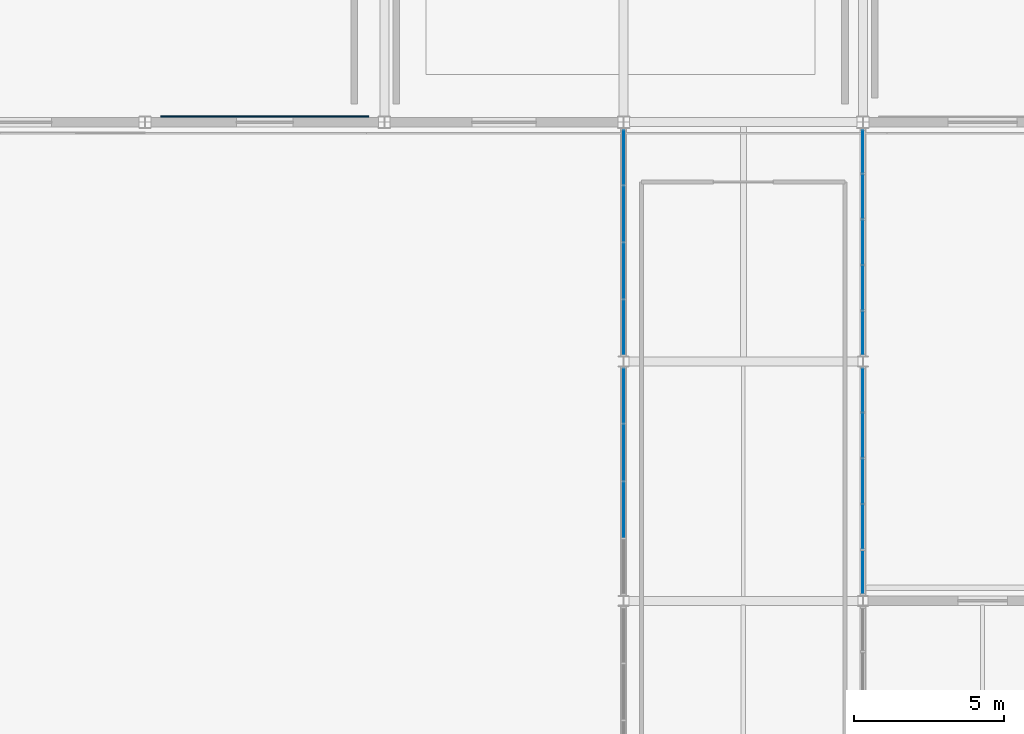
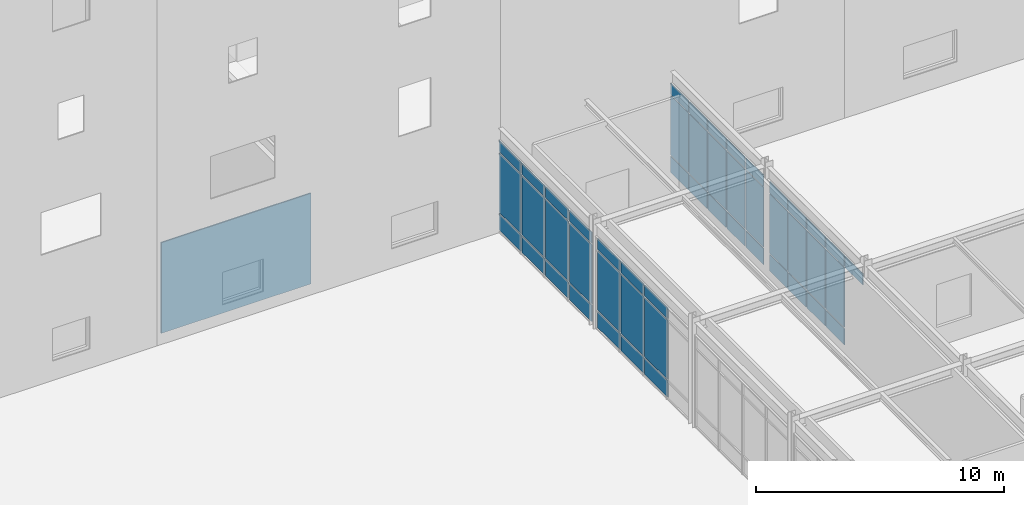
# One storey, part 62 of 119: 50 plates, 4 elements without a shape of their own.
"""IFC4 building model written with IfcOpenShell, lengths in metres."""

from ifc_helpers import new_model, si_unit, direction, frame, origin, origin_2d, place, context, subcontext, project, spatial, rectangle, extrude, material, layer, layer_set, type_object, element, aggregate, save


model = new_model("IFC4")

# Units and contexts
model_context = context("Model", 3, precision=1e-05, world=origin(), true_north=direction((0.0, 1.0)))
body_context = subcontext(model_context, "Body", "Model", "MODEL_VIEW")
ifc_project = project(units=[si_unit("LENGTHUNIT", "METRE"), si_unit("AREAUNIT", "SQUARE_METRE"), si_unit("VOLUMEUNIT", "CUBIC_METRE"), si_unit("PLANEANGLEUNIT", "RADIAN"), si_unit("MASSUNIT", "GRAM", prefix="KILO")], contexts=[model_context])

# Site, building, storey
site_placement = place(None, origin())
site = spatial("IfcSite", under=ifc_project, at=site_placement, CompositionType="ELEMENT")
building_placement = place(site_placement, origin())
building = spatial("IfcBuilding", under=site, at=building_placement, Name="Zhaolan Boulevard Law Courts", CompositionType="ELEMENT")
storey_placement = place(building_placement, origin())
storey = spatial("IfcBuildingStorey", under=building, at=storey_placement, Name="L00", CompositionType="ELEMENT", Elevation=0.0)

# Curtain wall, plates
ifc_material_1 = material(Name="Thermally broken aluminium and low-E glazing", Category="aluminium")
curtain_wall_type_1 = type_object("IfcCurtainWallType", Name="CURTAIN WALL M22", PredefinedType="USERDEFINED", material=ifc_material_1)
curtain_wall_1_placement = place(storey_placement, origin())
curtain_wall_1 = element("IfcCurtainWall", 1, at=curtain_wall_1_placement, inside=storey, type_object=curtain_wall_type_1, Name="Curtain Wall CW-L00-022", ObjectType="CURTAIN WALL", PredefinedType="USERDEFINED")
ifc_material_2 = material(Name="Acoustic laminated low-E glazing", Category="glass")
ifc_layer_1 = layer(ifc_material_2, 0.031982421875)
ifc_layer_set_1 = layer_set([ifc_layer_1])
plate_type_1 = type_object("IfcPlateType", Name="CWPANEL LOW E32", PredefinedType="CURTAIN_PANEL", material=ifc_layer_set_1)
plate_1_placement = place(storey_placement, frame((116.0, 52.85107421875, 0.06494140625), z_axis=(0.0, 0.0, 1.0), x_axis=(0.0, -1.0, 0.0)))
plate_1 = element("IfcPlate", 2, at=plate_1_placement, type_object=plate_type_1, Name="CW-L00-022 panel 1.1", PredefinedType="CURTAIN_PANEL", context=body_context, shape_type="SweptSolid", body=[
    extrude(rectangle(XDim=1.81396484375, YDim=0.031982421875, at=origin_2d()), origin(), (0.0, 0.0, 1.0), 0.802490234375),
])
plate_2_placement = place(storey_placement, frame((116.0, 52.85107421875, 0.9326171875), z_axis=(0.0, 0.0, 1.0), x_axis=(0.0, -1.0, 0.0)))
plate_2 = element("IfcPlate", 3, at=plate_2_placement, type_object=plate_type_1, Name="CW-L00-022 panel 1.2", PredefinedType="CURTAIN_PANEL", context=body_context, shape_type="SweptSolid", body=[
    extrude(rectangle(XDim=1.81396484375, YDim=0.031982421875, at=origin_2d()), origin(), (0.0, 0.0, 1.0), 2.91796875),
])
plate_3_placement = place(storey_placement, frame((116.0, 52.85107421875, 3.91552734375), z_axis=(0.0, 0.0, 1.0), x_axis=(0.0, -1.0, 0.0)))
plate_3 = element("IfcPlate", 4, at=plate_3_placement, type_object=plate_type_1, Name="CW-L00-022 panel 1.3", PredefinedType="CURTAIN_PANEL", context=body_context, shape_type="SweptSolid", body=[
    extrude(rectangle(XDim=1.81396484375, YDim=0.031982421875, at=origin_2d()), origin(), (0.0, 0.0, 1.0), 0.552490234375),
])
plate_4_placement = place(storey_placement, frame((116.0, 50.955810546875, 0.06494140625), z_axis=(0.0, 0.0, 1.0), x_axis=(0.0, -1.0, 0.0)))
plate_4 = element("IfcPlate", 5, at=plate_4_placement, type_object=plate_type_1, Name="CW-L00-022 panel 2.1", PredefinedType="CURTAIN_PANEL", context=body_context, shape_type="SweptSolid", body=[
    extrude(rectangle(XDim=1.846435546875, YDim=0.031982421875, at=origin_2d()), origin(), (0.0, 0.0, 1.0), 0.802490234375),
])
plate_5_placement = place(storey_placement, frame((116.0, 50.955810546875, 0.9326171875), z_axis=(0.0, 0.0, 1.0), x_axis=(0.0, -1.0, 0.0)))
plate_5 = element("IfcPlate", 6, at=plate_5_placement, type_object=plate_type_1, Name="CW-L00-022 panel 2.2", PredefinedType="CURTAIN_PANEL", context=body_context, shape_type="SweptSolid", body=[
    extrude(rectangle(XDim=1.846435546875, YDim=0.031982421875, at=origin_2d()), origin(), (0.0, 0.0, 1.0), 2.91796875),
])
plate_6_placement = place(storey_placement, frame((116.0, 50.955810546875, 3.91552734375), z_axis=(0.0, 0.0, 1.0), x_axis=(0.0, -1.0, 0.0)))
plate_6 = element("IfcPlate", 7, at=plate_6_placement, type_object=plate_type_1, Name="CW-L00-022 panel 2.3", PredefinedType="CURTAIN_PANEL", context=body_context, shape_type="SweptSolid", body=[
    extrude(rectangle(XDim=1.846435546875, YDim=0.031982421875, at=origin_2d()), origin(), (0.0, 0.0, 1.0), 0.552490234375),
])
plate_7_placement = place(storey_placement, frame((116.0, 49.044189453125, 0.06494140625), z_axis=(0.0, 0.0, 1.0), x_axis=(0.0, -1.0, 0.0)))
plate_7 = element("IfcPlate", 8, at=plate_7_placement, type_object=plate_type_1, Name="CW-L00-022 panel 3.1", PredefinedType="CURTAIN_PANEL", context=body_context, shape_type="SweptSolid", body=[
    extrude(rectangle(XDim=1.846435546875, YDim=0.031982421875, at=origin_2d()), origin(), (0.0, 0.0, 1.0), 0.802490234375),
])
plate_8_placement = place(storey_placement, frame((116.0, 49.044189453125, 0.9326171875), z_axis=(0.0, 0.0, 1.0), x_axis=(0.0, -1.0, 0.0)))
plate_8 = element("IfcPlate", 9, at=plate_8_placement, type_object=plate_type_1, Name="CW-L00-022 panel 3.2", PredefinedType="CURTAIN_PANEL", context=body_context, shape_type="SweptSolid", body=[
    extrude(rectangle(XDim=1.846435546875, YDim=0.031982421875, at=origin_2d()), origin(), (0.0, 0.0, 1.0), 2.91796875),
])
plate_9_placement = place(storey_placement, frame((116.0, 49.044189453125, 3.91552734375), z_axis=(0.0, 0.0, 1.0), x_axis=(0.0, -1.0, 0.0)))
plate_9 = element("IfcPlate", 10, at=plate_9_placement, type_object=plate_type_1, Name="CW-L00-022 panel 3.3", PredefinedType="CURTAIN_PANEL", context=body_context, shape_type="SweptSolid", body=[
    extrude(rectangle(XDim=1.846435546875, YDim=0.031982421875, at=origin_2d()), origin(), (0.0, 0.0, 1.0), 0.552490234375),
])
aggregate(curtain_wall_1, [plate_1, plate_2, plate_3, plate_4, plate_5, plate_6, plate_7, plate_8, plate_9])

ifc_material_3 = material(Name="Thermally broken aluminium and low-E glazing", Category="aluminium")
curtain_wall_type_2 = type_object("IfcCurtainWallType", Name="CURTAIN WALL M23", PredefinedType="USERDEFINED", material=ifc_material_3)
curtain_wall_2_placement = place(storey_placement, origin())
curtain_wall_2 = element("IfcCurtainWall", 11, at=curtain_wall_2_placement, inside=storey, type_object=curtain_wall_type_2, Name="Curtain Wall CW-L00-023", ObjectType="CURTAIN WALL", PredefinedType="USERDEFINED")
plate_10_placement = place(storey_placement, frame((116.0, 60.8291015625, 0.06494140625), z_axis=(0.0, 0.0, 1.0), x_axis=(0.0, -1.0, 0.0)))
plate_10 = element("IfcPlate", 12, at=plate_10_placement, type_object=plate_type_1, Name="CW-L00-023 panel 1.1", PredefinedType="CURTAIN_PANEL", context=body_context, shape_type="SweptSolid", body=[
    extrude(rectangle(XDim=1.807861328125, YDim=0.031982421875, at=origin_2d()), origin(), (0.0, 0.0, 1.0), 0.802490234375),
])
plate_11_placement = place(storey_placement, frame((116.0, 60.8291015625, 0.9326171875), z_axis=(0.0, 0.0, 1.0), x_axis=(0.0, -1.0, 0.0)))
plate_11 = element("IfcPlate", 13, at=plate_11_placement, type_object=plate_type_1, Name="CW-L00-023 panel 1.2", PredefinedType="CURTAIN_PANEL", context=body_context, shape_type="SweptSolid", body=[
    extrude(rectangle(XDim=1.807861328125, YDim=0.031982421875, at=origin_2d()), origin(), (0.0, 0.0, 1.0), 2.91796875),
])
plate_12_placement = place(storey_placement, frame((116.0, 60.8291015625, 3.91552734375), z_axis=(0.0, 0.0, 1.0), x_axis=(0.0, -1.0, 0.0)))
plate_12 = element("IfcPlate", 14, at=plate_12_placement, type_object=plate_type_1, Name="CW-L00-023 panel 1.3", PredefinedType="CURTAIN_PANEL", context=body_context, shape_type="SweptSolid", body=[
    extrude(rectangle(XDim=1.807861328125, YDim=0.031982421875, at=origin_2d()), origin(), (0.0, 0.0, 1.0), 0.552490234375),
])
plate_13_placement = place(storey_placement, frame((116.0, 58.940185546875, 0.06494140625), z_axis=(0.0, 0.0, 1.0), x_axis=(0.0, -1.0, 0.0)))
plate_13 = element("IfcPlate", 15, at=plate_13_placement, type_object=plate_type_1, Name="CW-L00-023 panel 2.1", PredefinedType="CURTAIN_PANEL", context=body_context, shape_type="SweptSolid", body=[
    extrude(rectangle(XDim=1.84033203125, YDim=0.031982421875, at=origin_2d()), origin(), (0.0, 0.0, 1.0), 0.802490234375),
])
plate_14_placement = place(storey_placement, frame((116.0, 58.940185546875, 0.9326171875), z_axis=(0.0, 0.0, 1.0), x_axis=(0.0, -1.0, 0.0)))
plate_14 = element("IfcPlate", 16, at=plate_14_placement, type_object=plate_type_1, Name="CW-L00-023 panel 2.2", PredefinedType="CURTAIN_PANEL", context=body_context, shape_type="SweptSolid", body=[
    extrude(rectangle(XDim=1.84033203125, YDim=0.031982421875, at=origin_2d()), origin(), (0.0, 0.0, 1.0), 2.91796875),
])
plate_15_placement = place(storey_placement, frame((116.0, 58.940185546875, 3.91552734375), z_axis=(0.0, 0.0, 1.0), x_axis=(0.0, -1.0, 0.0)))
plate_15 = element("IfcPlate", 17, at=plate_15_placement, type_object=plate_type_1, Name="CW-L00-023 panel 2.3", PredefinedType="CURTAIN_PANEL", context=body_context, shape_type="SweptSolid", body=[
    extrude(rectangle(XDim=1.84033203125, YDim=0.031982421875, at=origin_2d()), origin(), (0.0, 0.0, 1.0), 0.552490234375),
])
plate_16_placement = place(storey_placement, frame((116.0, 57.034912109375, 0.06494140625), z_axis=(0.0, 0.0, 1.0), x_axis=(0.0, -1.0, 0.0)))
plate_16 = element("IfcPlate", 18, at=plate_16_placement, type_object=plate_type_1, Name="CW-L00-023 panel 3.1", PredefinedType="CURTAIN_PANEL", context=body_context, shape_type="SweptSolid", body=[
    extrude(rectangle(XDim=1.84033203125, YDim=0.031982421875, at=origin_2d()), origin(), (0.0, 0.0, 1.0), 0.802490234375),
])
plate_17_placement = place(storey_placement, frame((116.0, 57.034912109375, 0.9326171875), z_axis=(0.0, 0.0, 1.0), x_axis=(0.0, -1.0, 0.0)))
plate_17 = element("IfcPlate", 19, at=plate_17_placement, type_object=plate_type_1, Name="CW-L00-023 panel 3.2", PredefinedType="CURTAIN_PANEL", context=body_context, shape_type="SweptSolid", body=[
    extrude(rectangle(XDim=1.84033203125, YDim=0.031982421875, at=origin_2d()), origin(), (0.0, 0.0, 1.0), 2.91796875),
])
plate_18_placement = place(storey_placement, frame((116.0, 57.034912109375, 3.91552734375), z_axis=(0.0, 0.0, 1.0), x_axis=(0.0, -1.0, 0.0)))
plate_18 = element("IfcPlate", 20, at=plate_18_placement, type_object=plate_type_1, Name="CW-L00-023 panel 3.3", PredefinedType="CURTAIN_PANEL", context=body_context, shape_type="SweptSolid", body=[
    extrude(rectangle(XDim=1.84033203125, YDim=0.031982421875, at=origin_2d()), origin(), (0.0, 0.0, 1.0), 0.552490234375),
])
plate_19_placement = place(storey_placement, frame((116.0, 55.14599609375, 0.06494140625), z_axis=(0.0, 0.0, 1.0), x_axis=(0.0, -1.0, 0.0)))
plate_19 = element("IfcPlate", 21, at=plate_19_placement, type_object=plate_type_1, Name="CW-L00-023 panel 4.1", PredefinedType="CURTAIN_PANEL", context=body_context, shape_type="SweptSolid", body=[
    extrude(rectangle(XDim=1.807861328125, YDim=0.031982421875, at=origin_2d()), origin(), (0.0, 0.0, 1.0), 0.802490234375),
])
plate_20_placement = place(storey_placement, frame((116.0, 55.14599609375, 0.9326171875), z_axis=(0.0, 0.0, 1.0), x_axis=(0.0, -1.0, 0.0)))
plate_20 = element("IfcPlate", 22, at=plate_20_placement, type_object=plate_type_1, Name="CW-L00-023 panel 4.2", PredefinedType="CURTAIN_PANEL", context=body_context, shape_type="SweptSolid", body=[
    extrude(rectangle(XDim=1.807861328125, YDim=0.031982421875, at=origin_2d()), origin(), (0.0, 0.0, 1.0), 2.91796875),
])
plate_21_placement = place(storey_placement, frame((116.0, 55.14599609375, 3.91552734375), z_axis=(0.0, 0.0, 1.0), x_axis=(0.0, -1.0, 0.0)))
plate_21 = element("IfcPlate", 23, at=plate_21_placement, type_object=plate_type_1, Name="CW-L00-023 panel 4.3", PredefinedType="CURTAIN_PANEL", context=body_context, shape_type="SweptSolid", body=[
    extrude(rectangle(XDim=1.807861328125, YDim=0.031982421875, at=origin_2d()), origin(), (0.0, 0.0, 1.0), 0.552490234375),
])
aggregate(curtain_wall_2, [plate_10, plate_11, plate_12, plate_13, plate_14, plate_15, plate_16, plate_17, plate_18, plate_19, plate_20, plate_21])

ifc_material_4 = material(Name="Thermally broken aluminium and low-E glazing", Category="aluminium")
curtain_wall_type_3 = type_object("IfcCurtainWallType", Name="CURTAIN WALL M2", PredefinedType="USERDEFINED", material=ifc_material_4)
curtain_wall_3_placement = place(storey_placement, origin())
curtain_wall_3 = element("IfcCurtainWall", 24, at=curtain_wall_3_placement, inside=storey, type_object=curtain_wall_type_3, Name="Curtain Wall CW-L00-026", ObjectType="CURTAIN WALL", PredefinedType="USERDEFINED")
plate_22_placement = place(storey_placement, frame((124.0, 46.957763671875, 3.91552734375), z_axis=(0.0, 0.0, 1.0), x_axis=(0.0, 1.0, 0.0)))
plate_22 = element("IfcPlate", 25, at=plate_22_placement, type_object=plate_type_1, Name="CW-L00-026 panel 1.3", PredefinedType="CURTAIN_PANEL", context=body_context, shape_type="SweptSolid", body=[
    extrude(rectangle(XDim=1.431640625, YDim=0.031982421875, at=origin_2d()), origin(), (0.0, 0.0, 1.0), 0.552490234375),
])
plate_23_placement = place(storey_placement, frame((124.0, 48.470703125, 0.06494140625), z_axis=(0.0, 0.0, 1.0), x_axis=(0.0, 1.0, 0.0)))
plate_23 = element("IfcPlate", 26, at=plate_23_placement, type_object=plate_type_1, Name="CW-L00-026 panel 2.1", PredefinedType="CURTAIN_PANEL", context=body_context, shape_type="SweptSolid", body=[
    extrude(rectangle(XDim=1.464111328125, YDim=0.031982421875, at=origin_2d()), origin(), (0.0, 0.0, 1.0), 0.802490234375),
])
plate_24_placement = place(storey_placement, frame((124.0, 48.470703125, 0.9326171875), z_axis=(0.0, 0.0, 1.0), x_axis=(0.0, 1.0, 0.0)))
plate_24 = element("IfcPlate", 27, at=plate_24_placement, type_object=plate_type_1, Name="CW-L00-026 panel 2.2", PredefinedType="CURTAIN_PANEL", context=body_context, shape_type="SweptSolid", body=[
    extrude(rectangle(XDim=1.464111328125, YDim=0.031982421875, at=origin_2d()), origin(), (0.0, 0.0, 1.0), 2.91796875),
])
plate_25_placement = place(storey_placement, frame((124.0, 48.470703125, 3.91552734375), z_axis=(0.0, 0.0, 1.0), x_axis=(0.0, 1.0, 0.0)))
plate_25 = element("IfcPlate", 28, at=plate_25_placement, type_object=plate_type_1, Name="CW-L00-026 panel 2.3", PredefinedType="CURTAIN_PANEL", context=body_context, shape_type="SweptSolid", body=[
    extrude(rectangle(XDim=1.464111328125, YDim=0.031982421875, at=origin_2d()), origin(), (0.0, 0.0, 1.0), 0.552490234375),
])
plate_26_placement = place(storey_placement, frame((124.0, 50.0, 0.06494140625), z_axis=(0.0, 0.0, 1.0), x_axis=(0.0, 1.0, 0.0)))
plate_26 = element("IfcPlate", 29, at=plate_26_placement, type_object=plate_type_1, Name="CW-L00-026 panel 3.1", PredefinedType="CURTAIN_PANEL", context=body_context, shape_type="SweptSolid", body=[
    extrude(rectangle(XDim=1.464111328125, YDim=0.031982421875, at=origin_2d()), origin(), (0.0, 0.0, 1.0), 0.802490234375),
])
plate_27_placement = place(storey_placement, frame((124.0, 50.0, 0.9326171875), z_axis=(0.0, 0.0, 1.0), x_axis=(0.0, 1.0, 0.0)))
plate_27 = element("IfcPlate", 30, at=plate_27_placement, type_object=plate_type_1, Name="CW-L00-026 panel 3.2", PredefinedType="CURTAIN_PANEL", context=body_context, shape_type="SweptSolid", body=[
    extrude(rectangle(XDim=1.464111328125, YDim=0.031982421875, at=origin_2d()), origin(), (0.0, 0.0, 1.0), 2.91796875),
])
plate_28_placement = place(storey_placement, frame((124.0, 50.0, 3.91552734375), z_axis=(0.0, 0.0, 1.0), x_axis=(0.0, 1.0, 0.0)))
plate_28 = element("IfcPlate", 31, at=plate_28_placement, type_object=plate_type_1, Name="CW-L00-026 panel 3.3", PredefinedType="CURTAIN_PANEL", context=body_context, shape_type="SweptSolid", body=[
    extrude(rectangle(XDim=1.464111328125, YDim=0.031982421875, at=origin_2d()), origin(), (0.0, 0.0, 1.0), 0.552490234375),
])
plate_29_placement = place(storey_placement, frame((124.0, 51.529296875, 0.06494140625), z_axis=(0.0, 0.0, 1.0), x_axis=(0.0, 1.0, 0.0)))
plate_29 = element("IfcPlate", 32, at=plate_29_placement, type_object=plate_type_1, Name="CW-L00-026 panel 4.1", PredefinedType="CURTAIN_PANEL", context=body_context, shape_type="SweptSolid", body=[
    extrude(rectangle(XDim=1.464111328125, YDim=0.031982421875, at=origin_2d()), origin(), (0.0, 0.0, 1.0), 0.802490234375),
])
plate_30_placement = place(storey_placement, frame((124.0, 51.529296875, 0.9326171875), z_axis=(0.0, 0.0, 1.0), x_axis=(0.0, 1.0, 0.0)))
plate_30 = element("IfcPlate", 33, at=plate_30_placement, type_object=plate_type_1, Name="CW-L00-026 panel 4.2", PredefinedType="CURTAIN_PANEL", context=body_context, shape_type="SweptSolid", body=[
    extrude(rectangle(XDim=1.464111328125, YDim=0.031982421875, at=origin_2d()), origin(), (0.0, 0.0, 1.0), 2.91796875),
])
plate_31_placement = place(storey_placement, frame((124.0, 51.529296875, 3.91552734375), z_axis=(0.0, 0.0, 1.0), x_axis=(0.0, 1.0, 0.0)))
plate_31 = element("IfcPlate", 34, at=plate_31_placement, type_object=plate_type_1, Name="CW-L00-026 panel 4.3", PredefinedType="CURTAIN_PANEL", context=body_context, shape_type="SweptSolid", body=[
    extrude(rectangle(XDim=1.464111328125, YDim=0.031982421875, at=origin_2d()), origin(), (0.0, 0.0, 1.0), 0.552490234375),
])
plate_32_placement = place(storey_placement, frame((124.0, 53.042236328125, 0.06494140625), z_axis=(0.0, 0.0, 1.0), x_axis=(0.0, 1.0, 0.0)))
plate_32 = element("IfcPlate", 35, at=plate_32_placement, type_object=plate_type_1, Name="CW-L00-026 panel 5.1", PredefinedType="CURTAIN_PANEL", context=body_context, shape_type="SweptSolid", body=[
    extrude(rectangle(XDim=1.431640625, YDim=0.031982421875, at=origin_2d()), origin(), (0.0, 0.0, 1.0), 0.802490234375),
])
plate_33_placement = place(storey_placement, frame((124.0, 53.042236328125, 0.9326171875), z_axis=(0.0, 0.0, 1.0), x_axis=(0.0, 1.0, 0.0)))
plate_33 = element("IfcPlate", 36, at=plate_33_placement, type_object=plate_type_1, Name="CW-L00-026 panel 5.2", PredefinedType="CURTAIN_PANEL", context=body_context, shape_type="SweptSolid", body=[
    extrude(rectangle(XDim=1.431640625, YDim=0.031982421875, at=origin_2d()), origin(), (0.0, 0.0, 1.0), 2.91796875),
])
plate_34_placement = place(storey_placement, frame((124.0, 53.042236328125, 3.91552734375), z_axis=(0.0, 0.0, 1.0), x_axis=(0.0, 1.0, 0.0)))
plate_34 = element("IfcPlate", 37, at=plate_34_placement, type_object=plate_type_1, Name="CW-L00-026 panel 5.3", PredefinedType="CURTAIN_PANEL", context=body_context, shape_type="SweptSolid", body=[
    extrude(rectangle(XDim=1.431640625, YDim=0.031982421875, at=origin_2d()), origin(), (0.0, 0.0, 1.0), 0.552490234375),
])
aggregate(curtain_wall_3, [plate_22, plate_23, plate_24, plate_25, plate_26, plate_27, plate_28, plate_29, plate_30, plate_31, plate_32, plate_33, plate_34])

ifc_material_5 = material(Name="Thermally broken aluminium and low-E glazing", Category="aluminium")
curtain_wall_type_4 = type_object("IfcCurtainWallType", Name="CURTAIN WALL M3", PredefinedType="USERDEFINED", material=ifc_material_5)
curtain_wall_4_placement = place(storey_placement, origin())
curtain_wall_4 = element("IfcCurtainWall", 38, at=curtain_wall_4_placement, inside=storey, type_object=curtain_wall_type_4, Name="Curtain Wall CW-L00-027", ObjectType="CURTAIN WALL", PredefinedType="USERDEFINED")
plate_35_placement = place(storey_placement, frame((124.0, 54.955322265625, 0.06494140625), z_axis=(0.0, 0.0, 1.0), x_axis=(0.0, 1.0, 0.0)))
plate_35 = element("IfcPlate", 39, at=plate_35_placement, type_object=plate_type_1, Name="CW-L00-027 panel 1.1", PredefinedType="CURTAIN_PANEL", context=body_context, shape_type="SweptSolid", body=[
    extrude(rectangle(XDim=1.4267578125, YDim=0.031982421875, at=origin_2d()), origin(), (0.0, 0.0, 1.0), 0.802490234375),
])
plate_36_placement = place(storey_placement, frame((124.0, 54.955322265625, 0.9326171875), z_axis=(0.0, 0.0, 1.0), x_axis=(0.0, 1.0, 0.0)))
plate_36 = element("IfcPlate", 40, at=plate_36_placement, type_object=plate_type_1, Name="CW-L00-027 panel 1.2", PredefinedType="CURTAIN_PANEL", context=body_context, shape_type="SweptSolid", body=[
    extrude(rectangle(XDim=1.4267578125, YDim=0.031982421875, at=origin_2d()), origin(), (0.0, 0.0, 1.0), 2.91796875),
])
plate_37_placement = place(storey_placement, frame((124.0, 54.955322265625, 3.91552734375), z_axis=(0.0, 0.0, 1.0), x_axis=(0.0, 1.0, 0.0)))
plate_37 = element("IfcPlate", 41, at=plate_37_placement, type_object=plate_type_1, Name="CW-L00-027 panel 1.3", PredefinedType="CURTAIN_PANEL", context=body_context, shape_type="SweptSolid", body=[
    extrude(rectangle(XDim=1.4267578125, YDim=0.031982421875, at=origin_2d()), origin(), (0.0, 0.0, 1.0), 0.552490234375),
])
plate_38_placement = place(storey_placement, frame((124.0, 56.46337890625, 0.06494140625), z_axis=(0.0, 0.0, 1.0), x_axis=(0.0, 1.0, 0.0)))
plate_38 = element("IfcPlate", 42, at=plate_38_placement, type_object=plate_type_1, Name="CW-L00-027 panel 2.1", PredefinedType="CURTAIN_PANEL", context=body_context, shape_type="SweptSolid", body=[
    extrude(rectangle(XDim=1.459228515625, YDim=0.031982421875, at=origin_2d()), origin(), (0.0, 0.0, 1.0), 0.802490234375),
])
plate_39_placement = place(storey_placement, frame((124.0, 56.46337890625, 0.9326171875), z_axis=(0.0, 0.0, 1.0), x_axis=(0.0, 1.0, 0.0)))
plate_39 = element("IfcPlate", 43, at=plate_39_placement, type_object=plate_type_1, Name="CW-L00-027 panel 2.2", PredefinedType="CURTAIN_PANEL", context=body_context, shape_type="SweptSolid", body=[
    extrude(rectangle(XDim=1.459228515625, YDim=0.031982421875, at=origin_2d()), origin(), (0.0, 0.0, 1.0), 2.91796875),
])
plate_40_placement = place(storey_placement, frame((124.0, 56.46337890625, 3.91552734375), z_axis=(0.0, 0.0, 1.0), x_axis=(0.0, 1.0, 0.0)))
plate_40 = element("IfcPlate", 44, at=plate_40_placement, type_object=plate_type_1, Name="CW-L00-027 panel 2.3", PredefinedType="CURTAIN_PANEL", context=body_context, shape_type="SweptSolid", body=[
    extrude(rectangle(XDim=1.459228515625, YDim=0.031982421875, at=origin_2d()), origin(), (0.0, 0.0, 1.0), 0.552490234375),
])
plate_41_placement = place(storey_placement, frame((124.0, 57.987548828125, 0.06494140625), z_axis=(0.0, 0.0, 1.0), x_axis=(0.0, 1.0, 0.0)))
plate_41 = element("IfcPlate", 45, at=plate_41_placement, type_object=plate_type_1, Name="CW-L00-027 panel 3.1", PredefinedType="CURTAIN_PANEL", context=body_context, shape_type="SweptSolid", body=[
    extrude(rectangle(XDim=1.459228515625, YDim=0.031982421875, at=origin_2d()), origin(), (0.0, 0.0, 1.0), 0.802490234375),
])
plate_42_placement = place(storey_placement, frame((124.0, 57.987548828125, 0.9326171875), z_axis=(0.0, 0.0, 1.0), x_axis=(0.0, 1.0, 0.0)))
plate_42 = element("IfcPlate", 46, at=plate_42_placement, type_object=plate_type_1, Name="CW-L00-027 panel 3.2", PredefinedType="CURTAIN_PANEL", context=body_context, shape_type="SweptSolid", body=[
    extrude(rectangle(XDim=1.459228515625, YDim=0.031982421875, at=origin_2d()), origin(), (0.0, 0.0, 1.0), 2.91796875),
])
plate_43_placement = place(storey_placement, frame((124.0, 57.987548828125, 3.91552734375), z_axis=(0.0, 0.0, 1.0), x_axis=(0.0, 1.0, 0.0)))
plate_43 = element("IfcPlate", 47, at=plate_43_placement, type_object=plate_type_1, Name="CW-L00-027 panel 3.3", PredefinedType="CURTAIN_PANEL", context=body_context, shape_type="SweptSolid", body=[
    extrude(rectangle(XDim=1.459228515625, YDim=0.031982421875, at=origin_2d()), origin(), (0.0, 0.0, 1.0), 0.552490234375),
])
plate_44_placement = place(storey_placement, frame((124.0, 59.51171875, 0.06494140625), z_axis=(0.0, 0.0, 1.0), x_axis=(0.0, 1.0, 0.0)))
plate_44 = element("IfcPlate", 48, at=plate_44_placement, type_object=plate_type_1, Name="CW-L00-027 panel 4.1", PredefinedType="CURTAIN_PANEL", context=body_context, shape_type="SweptSolid", body=[
    extrude(rectangle(XDim=1.459228515625, YDim=0.031982421875, at=origin_2d()), origin(), (0.0, 0.0, 1.0), 0.802490234375),
])
plate_45_placement = place(storey_placement, frame((124.0, 59.51171875, 0.9326171875), z_axis=(0.0, 0.0, 1.0), x_axis=(0.0, 1.0, 0.0)))
plate_45 = element("IfcPlate", 49, at=plate_45_placement, type_object=plate_type_1, Name="CW-L00-027 panel 4.2", PredefinedType="CURTAIN_PANEL", context=body_context, shape_type="SweptSolid", body=[
    extrude(rectangle(XDim=1.459228515625, YDim=0.031982421875, at=origin_2d()), origin(), (0.0, 0.0, 1.0), 2.91796875),
])
plate_46_placement = place(storey_placement, frame((124.0, 59.51171875, 3.91552734375), z_axis=(0.0, 0.0, 1.0), x_axis=(0.0, 1.0, 0.0)))
plate_46 = element("IfcPlate", 50, at=plate_46_placement, type_object=plate_type_1, Name="CW-L00-027 panel 4.3", PredefinedType="CURTAIN_PANEL", context=body_context, shape_type="SweptSolid", body=[
    extrude(rectangle(XDim=1.459228515625, YDim=0.031982421875, at=origin_2d()), origin(), (0.0, 0.0, 1.0), 0.552490234375),
])
plate_47_placement = place(storey_placement, frame((124.0, 61.01953125, 0.06494140625), z_axis=(0.0, 0.0, 1.0), x_axis=(0.0, 1.0, 0.0)))
plate_47 = element("IfcPlate", 51, at=plate_47_placement, type_object=plate_type_1, Name="CW-L00-027 panel 5.1", PredefinedType="CURTAIN_PANEL", context=body_context, shape_type="SweptSolid", body=[
    extrude(rectangle(XDim=1.4267578125, YDim=0.031982421875, at=origin_2d()), origin(), (0.0, 0.0, 1.0), 0.802490234375),
])
plate_48_placement = place(storey_placement, frame((124.0, 61.01953125, 0.9326171875), z_axis=(0.0, 0.0, 1.0), x_axis=(0.0, 1.0, 0.0)))
plate_48 = element("IfcPlate", 52, at=plate_48_placement, type_object=plate_type_1, Name="CW-L00-027 panel 5.2", PredefinedType="CURTAIN_PANEL", context=body_context, shape_type="SweptSolid", body=[
    extrude(rectangle(XDim=1.4267578125, YDim=0.031982421875, at=origin_2d()), origin(), (0.0, 0.0, 1.0), 2.91796875),
])
plate_49_placement = place(storey_placement, frame((124.0, 61.01953125, 3.91552734375), z_axis=(0.0, 0.0, 1.0), x_axis=(0.0, 1.0, 0.0)))
plate_49 = element("IfcPlate", 53, at=plate_49_placement, type_object=plate_type_1, Name="CW-L00-027 panel 5.3", PredefinedType="CURTAIN_PANEL", context=body_context, shape_type="SweptSolid", body=[
    extrude(rectangle(XDim=1.4267578125, YDim=0.031982421875, at=origin_2d()), origin(), (0.0, 0.0, 1.0), 0.552490234375),
])
aggregate(curtain_wall_4, [plate_35, plate_36, plate_37, plate_38, plate_39, plate_40, plate_41, plate_42, plate_43, plate_44, plate_45, plate_46, plate_47, plate_48, plate_49])

# Plate
ifc_material_6 = material(Name="Pale mist-grey standing-seam Al-Mg-Mn zinc-titanium")
ifc_layer_2 = layer(ifc_material_6, 0.06005859375)
ifc_layer_set_2 = layer_set([ifc_layer_2])
plate_type_2 = type_object("IfcPlateType", Name="STANDING SEAM PLATE 60", PredefinedType="SHEET", material=ifc_layer_set_2)
plate_50_placement = place(storey_placement, frame((104.0, 62.18994140625, 0.1005859375), z_axis=(0.0, 0.0, 1.0), x_axis=(1.0, 0.0, 0.0)))
element("IfcPlate", 54, at=plate_50_placement, inside=storey, type_object=plate_type_2, Name="Standing-Seam Metal Wall Cladding SSP-L00-178", PredefinedType="SHEET", context=body_context, shape_type="SweptSolid", body=[
    extrude(rectangle(XDim=6.9599609375, YDim=0.06005859375, at=origin_2d()), origin(), (0.0, 0.0, 1.0), 4.462890625),
])

save(model, "model.ifc")
